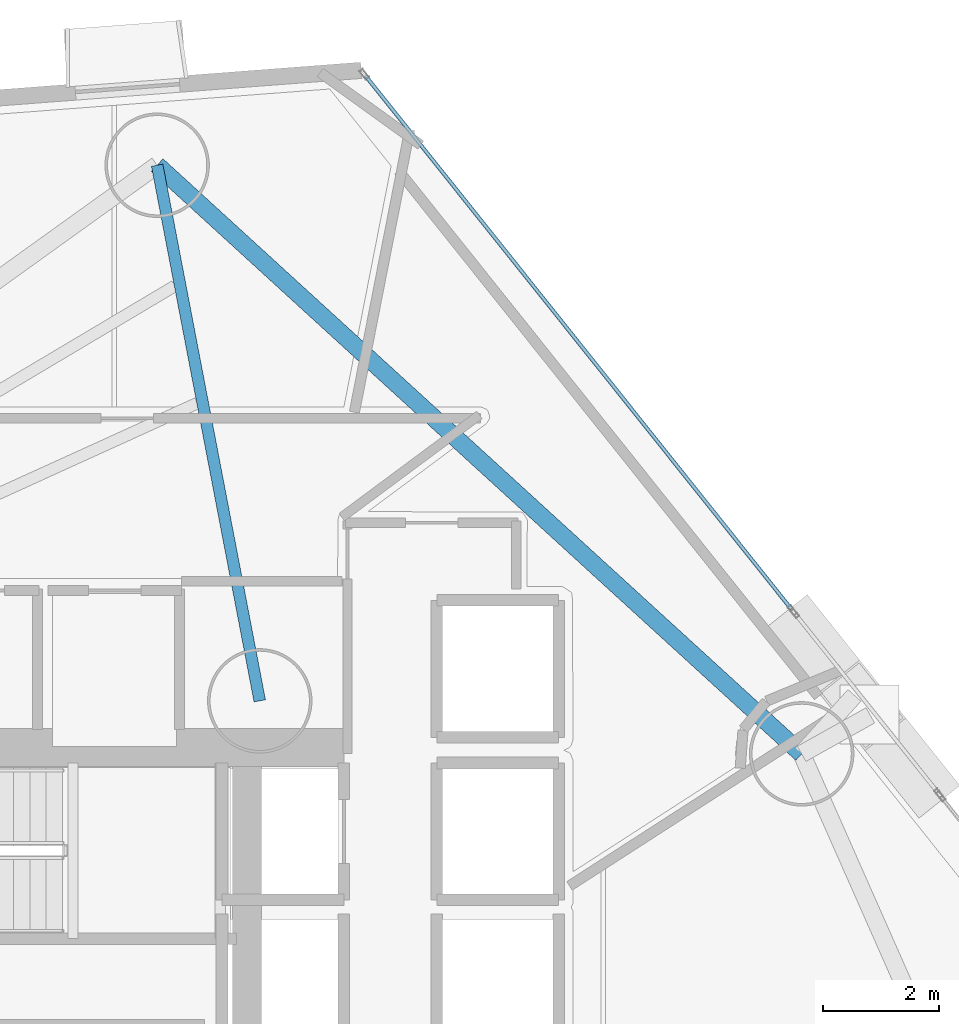
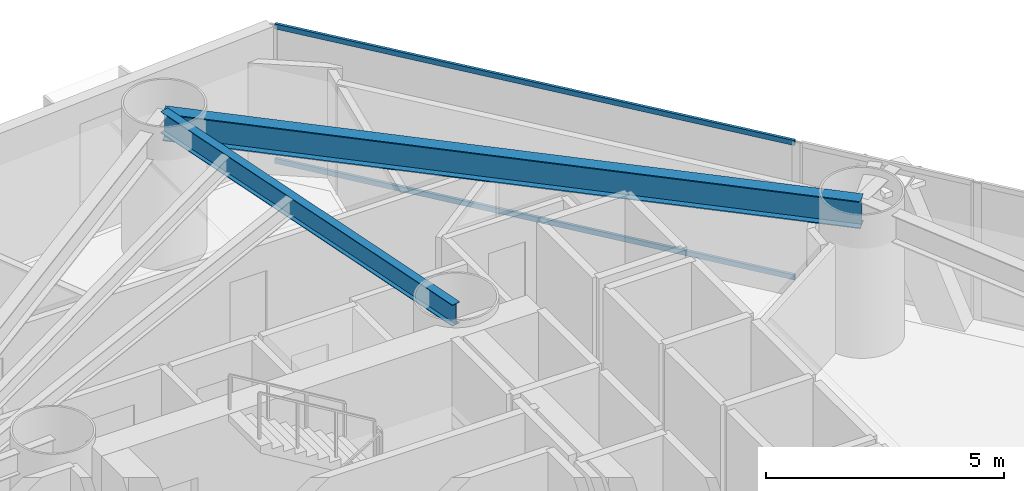
# One storey, part 11 of 23: 2 beams, 2 members, 1 element without a shape of its own.
"""IFC4 building model written with IfcOpenShell, lengths in metres."""

from ifc_helpers import new_model, si_unit, direction, frame, origin, origin_2d, place, context, subcontext, project, spatial, hollow_rectangle, i_section, extrude, material, layer, layer_set, material_profile, profile_set, type_object, element, aggregate, save


model = new_model("IFC4")

# Units and contexts
model_context = context("Model", 3, precision=1e-05, world=origin(), true_north=direction((0.0, 1.0)))
body_context = subcontext(model_context, "Body", "Model", "MODEL_VIEW")
ifc_project = project(units=[si_unit("LENGTHUNIT", "METRE"), si_unit("AREAUNIT", "SQUARE_METRE"), si_unit("VOLUMEUNIT", "CUBIC_METRE"), si_unit("PLANEANGLEUNIT", "RADIAN"), si_unit("MASSUNIT", "GRAM", prefix="KILO")], contexts=[model_context])

# Site, building, storey
site_placement = place(None, origin())
site = spatial("IfcSite", under=ifc_project, at=site_placement, CompositionType="ELEMENT")
building_placement = place(site_placement, origin())
building = spatial("IfcBuilding", under=site, at=building_placement, Name="Qianvela Tower", CompositionType="ELEMENT")
storey_placement = place(building_placement, frame((0.0, 0.0, 29.39990234375)))
storey = spatial("IfcBuildingStorey", under=building, at=storey_placement, Name="L06", CompositionType="ELEMENT", Elevation=29.39990234375)

# Beams
ifc_material_1 = material(Name="Steel Q355B", Category="steel")
ifc_material_profile_1 = material_profile(ifc_material_1, i_section(OverallWidth=0.199951171875, OverallDepth=0.550048828125, WebThickness=0.010009765625, FlangeThickness=0.01611328125, at=origin_2d()), Name="HN550x200x10x16")
ifc_profile_set_1 = profile_set([ifc_material_profile_1], Name="Steel Q355B")
beam_type_1 = type_object("IfcBeamType", Name="BM-HN550-GIRD", PredefinedType="BEAM", material=ifc_profile_set_1)
beam_1_placement = place(storey_placement, frame((38.39990234375, 33.550048828125, 3.2431640625), z_axis=(-0.188149597911, 0.982140381415, 0.0), x_axis=(-0.982140381415, -0.188149597911, 0.0)))
element("IfcBeam", 1, at=beam_1_placement, inside=storey, type_object=beam_type_1, Name="L06 Radial Primary Floor Girder 3", PredefinedType="BEAM", context=body_context, shape_type="SweptSolid", body=[
    extrude(i_section(OverallWidth=0.199951171875, OverallDepth=0.550048828125, WebThickness=0.010009765625, FlangeThickness=0.01611328125, at=origin_2d()), origin(), (0.0, 0.0, 1.0), 9.395751953125),
])
ifc_material_2 = material(Name="Steel Q355B", Category="steel")
ifc_material_profile_2 = material_profile(ifc_material_2, i_section(OverallWidth=0.300048828125, OverallDepth=0.699951171875, WebThickness=0.012939453125, FlangeThickness=0.02392578125, at=origin_2d()), Name="HN700x300x13x24")
ifc_profile_set_2 = profile_set([ifc_material_profile_2], Name="Steel Q355B")
beam_type_2 = type_object("IfcBeamType", Name="BM-HN700-SPAND", PredefinedType="SPANDREL", material=ifc_profile_set_2)
beam_2_placement = place(storey_placement, frame((47.736083984375, 32.636962890625, 3.168212890625), z_axis=(-0.738396915155, 0.674366366072, 0.0), x_axis=(-0.674366366072, -0.738396915155, 0.0)))
element("IfcBeam", 2, at=beam_2_placement, inside=storey, type_object=beam_type_2, Name="L06 Perimeter Ring Spandrel Girder 2", PredefinedType="SPANDREL", context=body_context, shape_type="SweptSolid", body=[
    extrude(i_section(OverallWidth=0.300048828125, OverallDepth=0.699951171875, WebThickness=0.012939453125, FlangeThickness=0.02392578125, at=origin_2d()), origin(), (0.0, 0.0, 1.0), 15.0380859375),
])

# Curtain wall, members
ifc_material_3 = material(Name="Anodised Architectural Aluminium and Low-E Glass", Category="aluminium")
ifc_layer = layer(ifc_material_3, 0.179931640625)
ifc_layer_set = layer_set([ifc_layer], Name="Anodised Architectural Aluminium and Low-E Glass")
curtain_wall_type = type_object("IfcCurtainWallType", Name="CW-COLIV-Z12", PredefinedType="USERDEFINED", material=ifc_layer_set)
curtain_wall_placement = place(storey_placement, origin())
curtain_wall = element("IfcCurtainWall", 3, at=curtain_wall_placement, inside=storey, type_object=curtain_wall_type, Name="L06 CW-COLIV-Z12 Curtain Wall 02C", ObjectType="CURTAIN_WALL_SYSTEM", PredefinedType="USERDEFINED")
ifc_material_4 = material(Name="Anodised Architectural Aluminium 6063-T6", Category="aluminium")
ifc_material_profile_3 = material_profile(ifc_material_4, hollow_rectangle(XDim=0.06494140625, YDim=0.1298828125, WallThickness=0.00439453125, at=origin_2d()), Name="ALU-TRAN-65x130")
ifc_profile_set_3 = profile_set([ifc_material_profile_3], Name="Anodised Architectural Aluminium 6063-T6")
member_type = type_object("IfcMemberType", Name="CW-COLIV-Z12-TRAN", PredefinedType="USERDEFINED", material=ifc_profile_set_3)
member_1_placement = place(storey_placement, frame((47.554931640625, 35.136474609375, 0.03271484375), z_axis=(-0.623980301314, 0.781440070365, 0.0), x_axis=(-0.781440070365, -0.623980301314, 0.0)))
member_1 = element("IfcMember", 4, at=member_1_placement, type_object=member_type, Name="CW-3 transom 1.1", ObjectType="TRANSOM", PredefinedType="USERDEFINED", context=body_context, shape_type="SweptSolid", body=[
    extrude(hollow_rectangle(XDim=0.06494140625, YDim=0.1298828125, WallThickness=0.00439453125, at=origin_2d()), origin(), (0.0, 0.0, 1.0), 11.751220703125),
])
member_2_placement = place(storey_placement, frame((47.554931640625, 35.136474609375, 3.487548828125), z_axis=(-0.623980301314, 0.781440070365, 0.0), x_axis=(-0.781440070365, -0.623980301314, 0.0)))
member_2 = element("IfcMember", 5, at=member_2_placement, type_object=member_type, Name="CW-3 transom 1.2", ObjectType="TRANSOM", PredefinedType="USERDEFINED", context=body_context, shape_type="SweptSolid", body=[
    extrude(hollow_rectangle(XDim=0.06494140625, YDim=0.1298828125, WallThickness=0.00439453125, at=origin_2d()), origin(), (0.0, 0.0, 1.0), 11.751220703125),
])
aggregate(curtain_wall, [member_1, member_2])

save(model, "model.ifc")
